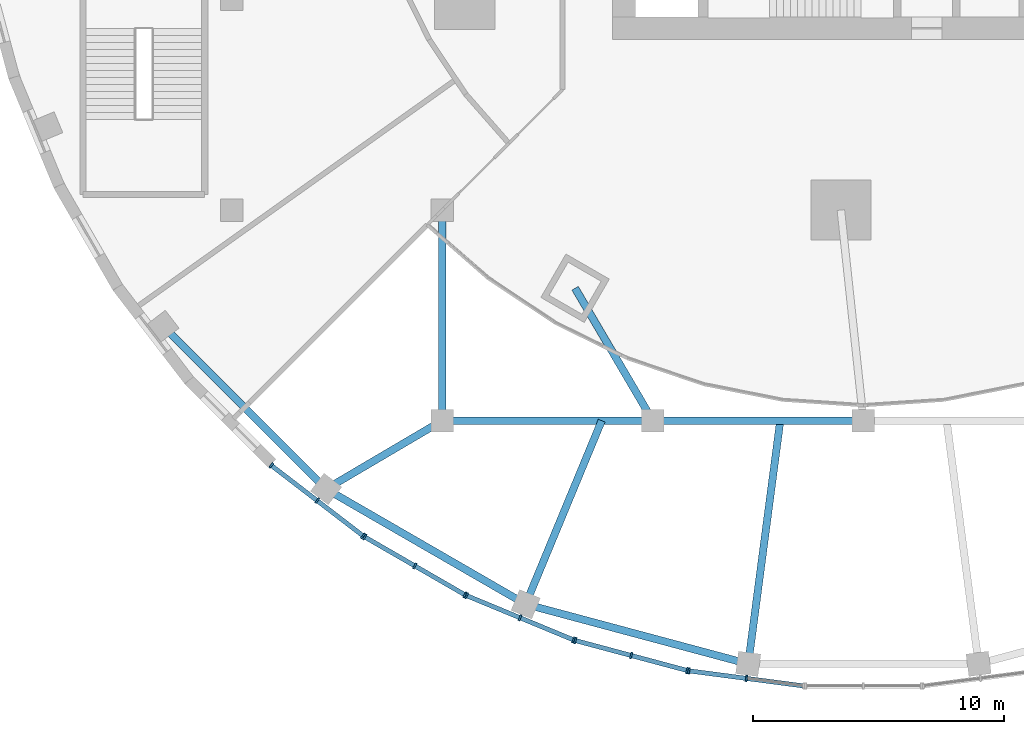
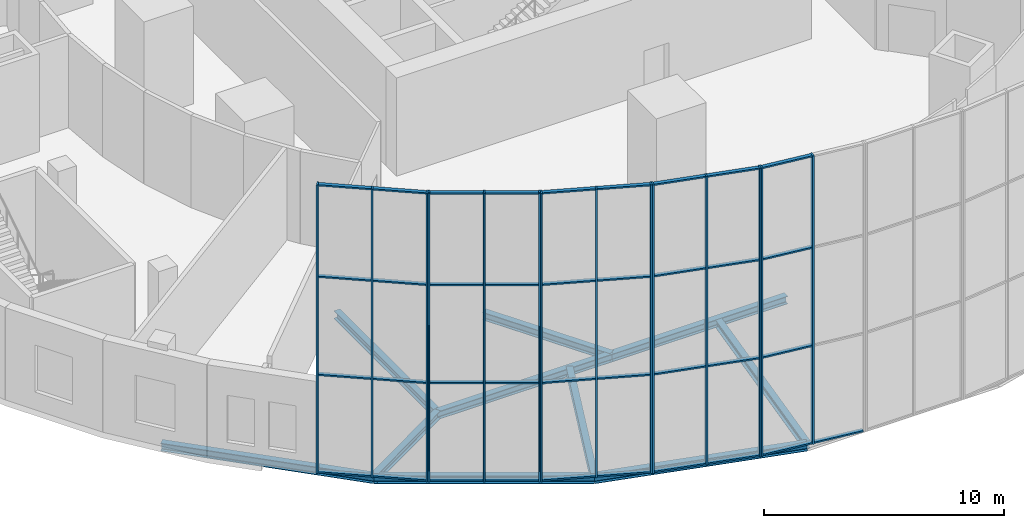
# One storey, part 2 of 17: 51 members, 10 beams, 5 elements without a shape of their own.
"""IFC4 building model written with IfcOpenShell, lengths in metres."""

from ifc_helpers import new_model, si_unit, direction, frame, origin, origin_2d, place, context, subcontext, project, spatial, rectangle, i_section, extrude, material, material_profile, profile_set, type_object, element, aggregate, save


model = new_model("IFC4")

# Units and contexts
model_context = context("Model", 3, precision=1e-05, world=origin(), true_north=direction((0.0, 1.0)))
body_context = subcontext(model_context, "Body", "Model", "MODEL_VIEW")
ifc_project = project(units=[si_unit("LENGTHUNIT", "METRE"), si_unit("AREAUNIT", "SQUARE_METRE"), si_unit("VOLUMEUNIT", "CUBIC_METRE"), si_unit("PLANEANGLEUNIT", "RADIAN"), si_unit("MASSUNIT", "GRAM", prefix="KILO")], contexts=[model_context])

# Site, building, storey
site_placement = place(None, origin())
site = spatial("IfcSite", under=ifc_project, at=site_placement, CompositionType="ELEMENT")
building_placement = place(site_placement, origin())
building = spatial("IfcBuilding", under=site, at=building_placement, Name="Golbaran Civic Tower", CompositionType="ELEMENT")
storey_placement = place(building_placement, frame((0.0, 0.0, 6.0)))
storey = spatial("IfcBuildingStorey", under=building, at=storey_placement, Name="L01", CompositionType="ELEMENT", Elevation=6.0)

# Beams
ifc_material_1 = material(Name="Steel S355", Category="steel")
ifc_material_profile_1 = material_profile(ifc_material_1, i_section(OverallWidth=0.300048828125, OverallDepth=0.39990234375, WebThickness=0.013427734375, FlangeThickness=0.02392578125, FilletRadius=0.027099609375, at=origin_2d()), Name="HEB 400")
ifc_profile_set_1 = profile_set([ifc_material_profile_1], Name="Steel S355")
beam_type = type_object("IfcBeamType", Name="ATRIUM BRACING TIE HEB 400", PredefinedType="BEAM", material=ifc_profile_set_1)
beam_1_placement = place(storey_placement, frame((-16.800048828125, -25.199951171875, -0.5), z_axis=(1.0, 0.0, 0.0), x_axis=(0.0, 1.0, 0.0)))
element("IfcBeam", 1, at=beam_1_placement, inside=storey, type_object=beam_type, Name="Atrium bracing tie L01 ROW 01", PredefinedType="BEAM", context=body_context, shape_type="SweptSolid", body=[
    extrude(i_section(OverallWidth=0.300048828125, OverallDepth=0.39990234375, WebThickness=0.013427734375, FlangeThickness=0.02392578125, FilletRadius=0.027099609375, at=origin_2d()), origin(), (0.0, 0.0, 1.0), 8.400146484375),
])
beam_2_placement = place(storey_placement, frame((-8.39990234375, -25.199951171875, -0.5), z_axis=(1.0, 0.0, 0.0), x_axis=(0.0, 1.0, 0.0)))
element("IfcBeam", 2, at=beam_2_placement, inside=storey, type_object=beam_type, Name="Atrium bracing tie L01 ROW 02", PredefinedType="BEAM", context=body_context, shape_type="SweptSolid", body=[
    extrude(i_section(OverallWidth=0.300048828125, OverallDepth=0.39990234375, WebThickness=0.013427734375, FlangeThickness=0.02392578125, FilletRadius=0.027099609375, at=origin_2d()), origin(), (0.0, 0.0, 1.0), 8.39990234375),
])
for number, where, z_axis, x_axis, name in (
    (3, (-27.926025390625, -21.428466796875, -0.5), (0.707106781187, -0.707106781187, 0.0), (0.707106781187, 0.707106781187, 0.0), "Atrium bracing tie L01 RING 01"),
    (4, (-21.428466796875, -27.926025390625, -0.5), (0.86602896297, -0.49999383526, 0.0), (0.49999383526, 0.86602896297, 0.0), "Atrium bracing tie L01 RING 02"),
):
    element("IfcBeam", number, at=place(storey_placement, frame(where, z_axis=z_axis, x_axis=x_axis)), inside=storey, type_object=beam_type, Name=name, PredefinedType="BEAM", context=body_context, shape_type="SweptSolid", body=[
        extrude(i_section(OverallWidth=0.300048828125, OverallDepth=0.39990234375, WebThickness=0.013427734375, FlangeThickness=0.02392578125, FilletRadius=0.027099609375, at=origin_2d()), origin(), (0.0, 0.0, 1.0), 9.18896484375),
    ])
beam_3_placement = place(storey_placement, frame((-13.470458984375, -32.5205078125, -0.5), z_axis=(0.965922909277, -0.258829931295, 0.0), x_axis=(0.258829931295, 0.965922909277, 0.0)))
element("IfcBeam", 5, at=beam_3_placement, inside=storey, type_object=beam_type, Name="Atrium bracing tie L01 RING 03", PredefinedType="BEAM", context=body_context, shape_type="SweptSolid", body=[
    extrude(i_section(OverallWidth=0.300048828125, OverallDepth=0.39990234375, WebThickness=0.013427734375, FlangeThickness=0.02392578125, FilletRadius=0.027099609375, at=origin_2d()), origin(), (0.0, 0.0, 1.0), 9.189208984375),
])
beam_4_placement = place(storey_placement, frame((-16.800048828125, -25.199951171875, -0.5), z_axis=(0.0, 1.0, 0.0), x_axis=(-1.0, 0.0, 0.0)))
element("IfcBeam", 6, at=beam_4_placement, inside=storey, type_object=beam_type, Name="Atrium bracing tie L01 GR 4C", PredefinedType="BEAM", context=body_context, shape_type="SweptSolid", body=[
    extrude(i_section(OverallWidth=0.300048828125, OverallDepth=0.39990234375, WebThickness=0.013427734375, FlangeThickness=0.02392578125, FilletRadius=0.027099609375, at=origin_2d()), origin(), (0.0, 0.0, 1.0), 8.39990234375),
])
beam_5_placement = place(storey_placement, frame((-8.39990234375, -25.199951171875, -0.5), z_axis=(-0.506228930688, 0.862399135977, 0.0), x_axis=(-0.862399135977, -0.506228930688, 0.0)))
element("IfcBeam", 7, at=beam_5_placement, inside=storey, type_object=beam_type, Name="Atrium bracing tie L01 GR 5C", PredefinedType="BEAM", context=body_context, shape_type="SweptSolid", body=[
    extrude(i_section(OverallWidth=0.300048828125, OverallDepth=0.39990234375, WebThickness=0.013427734375, FlangeThickness=0.02392578125, FilletRadius=0.027099609375, at=origin_2d()), origin(), (0.0, 0.0, 1.0), 6.1240234375),
])
beam_6_placement = place(storey_placement, frame((-21.428466796875, -27.926025390625, -0.5), z_axis=(0.861651329698, 0.507500725151, 0.0), x_axis=(-0.507500725151, 0.861651329698, 0.0)))
element("IfcBeam", 8, at=beam_6_placement, inside=storey, type_object=beam_type, Name="Atrium bracing tie L01 ER 2325", PredefinedType="BEAM", context=body_context, shape_type="SweptSolid", body=[
    extrude(i_section(OverallWidth=0.300048828125, OverallDepth=0.39990234375, WebThickness=0.013427734375, FlangeThickness=0.02392578125, FilletRadius=0.027099609375, at=origin_2d()), origin(), (0.0, 0.0, 1.0), 5.37158203125),
])
beam_7_placement = place(storey_placement, frame((-13.470458984375, -32.5205078125, -0.5), z_axis=(0.382678339047, 0.923881642216, 0.0), x_axis=(-0.923881642216, 0.382678339047, 0.0)))
element("IfcBeam", 9, at=beam_7_placement, inside=storey, type_object=beam_type, Name="Atrium bracing tie L01 ER 2475", PredefinedType="BEAM", context=body_context, shape_type="SweptSolid", body=[
    extrude(i_section(OverallWidth=0.300048828125, OverallDepth=0.39990234375, WebThickness=0.013427734375, FlangeThickness=0.02392578125, FilletRadius=0.027099609375, at=origin_2d()), origin(), (0.0, 0.0, 1.0), 7.923583984375),
])
beam_8_placement = place(storey_placement, frame((-4.594482421875, -34.89892578125, -0.5), z_axis=(0.130522297348, 0.991445374136, 0.0), x_axis=(-0.991445374136, 0.130522297348, 0.0)))
element("IfcBeam", 10, at=beam_8_placement, inside=storey, type_object=beam_type, Name="Atrium bracing tie L01 ER 2625", PredefinedType="BEAM", context=body_context, shape_type="SweptSolid", body=[
    extrude(i_section(OverallWidth=0.300048828125, OverallDepth=0.39990234375, WebThickness=0.013427734375, FlangeThickness=0.02392578125, FilletRadius=0.027099609375, at=origin_2d()), origin(), (0.0, 0.0, 1.0), 9.78271484375),
])

# Curtain wall, members
ifc_material_2 = material(Name="Aluminium and glass", Category="aluminium")
curtain_wall_type = type_object("IfcCurtainWallType", Name="ATRIUM CURTAIN WALL", PredefinedType="NOTDEFINED", material=ifc_material_2)
curtain_wall_1_placement = place(storey_placement, origin())
curtain_wall_1 = element("IfcCurtainWall", 11, at=curtain_wall_1_placement, inside=storey, type_object=curtain_wall_type, Name="Atrium curtain wall facet 31 CW4", ObjectType="ATRIUM GLAZING", PredefinedType="USERDEFINED")
ifc_material_3 = material(Name="Aluminium", Category="aluminium")
ifc_material_profile_2 = material_profile(ifc_material_3, rectangle(XDim=0.25, YDim=0.074951171875, at=origin_2d()), Name="ATRIUM CURTAIN WALL MULLION")
ifc_profile_set_2 = profile_set([ifc_material_profile_2], Name="Aluminium")
member_type_1 = type_object("IfcMemberType", Name="ATRIUM CURTAIN WALL MULLION", PredefinedType="MULLION", material=ifc_profile_set_2)
member_1_placement = place(storey_placement, frame((-23.615478515625, -26.985107421875, 0.0), z_axis=(0.0, 0.0, 1.0), x_axis=(0.608761428926, 0.793353340355, 0.0)))
member_1 = element("IfcMember", 12, at=member_1_placement, type_object=member_type_1, Name="CW4 mullion 1", PredefinedType="MULLION", context=body_context, shape_type="SweptSolid", body=[
    extrude(rectangle(XDim=0.25, YDim=0.074951171875, at=origin_2d()), origin(), (0.0, 0.0, 1.0), 14.699951171875),
])
member_2_placement = place(storey_placement, frame((-21.784423828125, -28.39013671875, 0.0), z_axis=(0.0, 0.0, 1.0), x_axis=(0.608761428926, 0.793353340355, 0.0)))
member_2 = element("IfcMember", 13, at=member_2_placement, type_object=member_type_1, Name="CW4 mullion 2", PredefinedType="MULLION", context=body_context, shape_type="SweptSolid", body=[
    extrude(rectangle(XDim=0.25, YDim=0.074951171875, at=origin_2d()), origin(), (0.0, 0.0, 1.0), 14.699951171875),
])
member_3_placement = place(storey_placement, frame((-19.953369140625, -29.795166015625, 0.0), z_axis=(0.0, 0.0, 1.0), x_axis=(0.608761428926, 0.793353340355, 0.0)))
member_3 = element("IfcMember", 14, at=member_3_placement, type_object=member_type_1, Name="CW4 mullion 3", PredefinedType="MULLION", context=body_context, shape_type="SweptSolid", body=[
    extrude(rectangle(XDim=0.25, YDim=0.074951171875, at=origin_2d()), origin(), (0.0, 0.0, 1.0), 14.699951171875),
])

curtain_wall_2_placement = place(storey_placement, origin())
curtain_wall_2 = element("IfcCurtainWall", 15, at=curtain_wall_2_placement, inside=storey, type_object=curtain_wall_type, Name="Atrium curtain wall facet 32 CW4", ObjectType="ATRIUM GLAZING", PredefinedType="USERDEFINED")
member_4_placement = place(storey_placement, frame((-19.891357421875, -29.836669921875, 0.0), z_axis=(0.0, 0.0, 1.0), x_axis=(0.500000000076, 0.866025403741, 0.0)))
member_4 = element("IfcMember", 16, at=member_4_placement, type_object=member_type_1, Name="CW4 mullion 1", PredefinedType="MULLION", context=body_context, shape_type="SweptSolid", body=[
    extrude(rectangle(XDim=0.25, YDim=0.074951171875, at=origin_2d()), origin(), (0.0, 0.0, 1.0), 14.699951171875),
])
member_5_placement = place(storey_placement, frame((-17.892578125, -30.99072265625, 0.0), z_axis=(0.0, 0.0, 1.0), x_axis=(0.500000000076, 0.866025403741, 0.0)))
member_5 = element("IfcMember", 17, at=member_5_placement, type_object=member_type_1, Name="CW4 mullion 2", PredefinedType="MULLION", context=body_context, shape_type="SweptSolid", body=[
    extrude(rectangle(XDim=0.25, YDim=0.074951171875, at=origin_2d()), origin(), (0.0, 0.0, 1.0), 14.699951171875),
])
member_6_placement = place(storey_placement, frame((-15.893798828125, -32.144775390625, 0.0), z_axis=(0.0, 0.0, 1.0), x_axis=(0.500000000076, 0.866025403741, 0.0)))
member_6 = element("IfcMember", 18, at=member_6_placement, type_object=member_type_1, Name="CW4 mullion 3", PredefinedType="MULLION", context=body_context, shape_type="SweptSolid", body=[
    extrude(rectangle(XDim=0.25, YDim=0.074951171875, at=origin_2d()), origin(), (0.0, 0.0, 1.0), 14.699951171875),
])

curtain_wall_3_placement = place(storey_placement, origin())
curtain_wall_3 = element("IfcCurtainWall", 19, at=curtain_wall_3_placement, inside=storey, type_object=curtain_wall_type, Name="Atrium curtain wall facet 33 CW4", ObjectType="ATRIUM GLAZING", PredefinedType="USERDEFINED")
member_7_placement = place(storey_placement, frame((-15.82666015625, -32.177734375, 0.0), z_axis=(0.0, 0.0, 1.0), x_axis=(0.382683432349, 0.923879532518, 0.0)))
member_7 = element("IfcMember", 20, at=member_7_placement, type_object=member_type_1, Name="CW4 mullion 1", PredefinedType="MULLION", context=body_context, shape_type="SweptSolid", body=[
    extrude(rectangle(XDim=0.25, YDim=0.074951171875, at=origin_2d()), origin(), (0.0, 0.0, 1.0), 14.699951171875),
])
member_8_placement = place(storey_placement, frame((-13.6943359375, -33.06103515625, 0.0), z_axis=(0.0, 0.0, 1.0), x_axis=(0.382683432349, 0.923879532518, 0.0)))
member_8 = element("IfcMember", 21, at=member_8_placement, type_object=member_type_1, Name="CW4 mullion 2", PredefinedType="MULLION", context=body_context, shape_type="SweptSolid", body=[
    extrude(rectangle(XDim=0.25, YDim=0.074951171875, at=origin_2d()), origin(), (0.0, 0.0, 1.0), 14.699951171875),
])
member_9_placement = place(storey_placement, frame((-11.56201171875, -33.9443359375, 0.0), z_axis=(0.0, 0.0, 1.0), x_axis=(0.382683432349, 0.923879532518, 0.0)))
member_9 = element("IfcMember", 22, at=member_9_placement, type_object=member_type_1, Name="CW4 mullion 3", PredefinedType="MULLION", context=body_context, shape_type="SweptSolid", body=[
    extrude(rectangle(XDim=0.25, YDim=0.074951171875, at=origin_2d()), origin(), (0.0, 0.0, 1.0), 14.699951171875),
])

curtain_wall_4_placement = place(storey_placement, origin())
curtain_wall_4 = element("IfcCurtainWall", 23, at=curtain_wall_4_placement, inside=storey, type_object=curtain_wall_type, Name="Atrium curtain wall facet 34 CW4", ObjectType="ATRIUM GLAZING", PredefinedType="USERDEFINED")
member_10_placement = place(storey_placement, frame((-11.4912109375, -33.96826171875, 0.0), z_axis=(0.0, 0.0, 1.0), x_axis=(0.258819045153, 0.965925826276, 0.0)))
member_10 = element("IfcMember", 24, at=member_10_placement, type_object=member_type_1, Name="CW4 mullion 1", PredefinedType="MULLION", context=body_context, shape_type="SweptSolid", body=[
    extrude(rectangle(XDim=0.25, YDim=0.074951171875, at=origin_2d()), origin(), (0.0, 0.0, 1.0), 14.699951171875),
])
member_11_placement = place(storey_placement, frame((-9.26171875, -34.565673828125, 0.0), z_axis=(0.0, 0.0, 1.0), x_axis=(0.258819045153, 0.965925826276, 0.0)))
member_11 = element("IfcMember", 25, at=member_11_placement, type_object=member_type_1, Name="CW4 mullion 2", PredefinedType="MULLION", context=body_context, shape_type="SweptSolid", body=[
    extrude(rectangle(XDim=0.25, YDim=0.074951171875, at=origin_2d()), origin(), (0.0, 0.0, 1.0), 14.699951171875),
])
member_12_placement = place(storey_placement, frame((-7.032470703125, -35.1630859375, 0.0), z_axis=(0.0, 0.0, 1.0), x_axis=(0.258819045153, 0.965925826276, 0.0)))
member_12 = element("IfcMember", 26, at=member_12_placement, type_object=member_type_1, Name="CW4 mullion 3", PredefinedType="MULLION", context=body_context, shape_type="SweptSolid", body=[
    extrude(rectangle(XDim=0.25, YDim=0.074951171875, at=origin_2d()), origin(), (0.0, 0.0, 1.0), 14.699951171875),
])

curtain_wall_5_placement = place(storey_placement, origin())
curtain_wall_5 = element("IfcCurtainWall", 27, at=curtain_wall_5_placement, inside=storey, type_object=curtain_wall_type, Name="Atrium curtain wall facet 35 CW4", ObjectType="ATRIUM GLAZING", PredefinedType="USERDEFINED")
member_13_placement = place(storey_placement, frame((-6.959228515625, -35.177490234375, 0.0), z_axis=(0.0, 0.0, 1.0), x_axis=(0.130526192134, 0.991444861385, 0.0)))
member_13 = element("IfcMember", 28, at=member_13_placement, type_object=member_type_1, Name="CW4 mullion 1", PredefinedType="MULLION", context=body_context, shape_type="SweptSolid", body=[
    extrude(rectangle(XDim=0.25, YDim=0.074951171875, at=origin_2d()), origin(), (0.0, 0.0, 1.0), 14.699951171875),
])
member_14_placement = place(storey_placement, frame((-4.6708984375, -35.478759765625, 0.0), z_axis=(0.0, 0.0, 1.0), x_axis=(0.130526192134, 0.991444861385, 0.0)))
member_14 = element("IfcMember", 29, at=member_14_placement, type_object=member_type_1, Name="CW4 mullion 2", PredefinedType="MULLION", context=body_context, shape_type="SweptSolid", body=[
    extrude(rectangle(XDim=0.25, YDim=0.074951171875, at=origin_2d()), origin(), (0.0, 0.0, 1.0), 14.699951171875),
])

# Member
ifc_material_profile_3 = material_profile(ifc_material_3, rectangle(XDim=0.179931640625, YDim=0.074951171875, at=origin_2d()), Name="ATRIUM CURTAIN WALL TRANSOM")
ifc_profile_set_3 = profile_set([ifc_material_profile_3], Name="Aluminium")
member_type_2 = type_object("IfcMemberType", Name="ATRIUM CURTAIN WALL TRANSOM", PredefinedType="USERDEFINED", material=ifc_profile_set_3)
member_15_placement = place(storey_placement, frame((-23.585693359375, -27.008056640625, 0.03759765625), z_axis=(0.793338798871, -0.608780379288, 0.0), x_axis=(0.608780379288, 0.793338798871, 0.0)))
member_15 = element("IfcMember", 30, at=member_15_placement, type_object=member_type_2, Name="CW4 transom 1.1", ObjectType="TRANSOM", PredefinedType="USERDEFINED", context=body_context, shape_type="SweptSolid", body=[
    extrude(rectangle(XDim=0.179931640625, YDim=0.074951171875, at=origin_2d()), origin(), (0.0, 0.0, 1.0), 2.23291015625),
])

member_16_placement = place(storey_placement, frame((-23.585693359375, -27.008056640625, 5.0), z_axis=(0.793338798871, -0.608780379288, 0.0), x_axis=(0.608780379288, 0.793338798871, 0.0)))
member_16 = element("IfcMember", 31, at=member_16_placement, type_object=member_type_2, Name="CW4 transom 1.2", ObjectType="TRANSOM", PredefinedType="USERDEFINED", context=body_context, shape_type="SweptSolid", body=[
    extrude(rectangle(XDim=0.179931640625, YDim=0.074951171875, at=origin_2d()), origin(), (0.0, 0.0, 1.0), 2.23291015625),
])

member_17_placement = place(storey_placement, frame((-23.585693359375, -27.008056640625, 10.0), z_axis=(0.793338798871, -0.608780379288, 0.0), x_axis=(0.608780379288, 0.793338798871, 0.0)))
member_17 = element("IfcMember", 32, at=member_17_placement, type_object=member_type_2, Name="CW4 transom 1.3", ObjectType="TRANSOM", PredefinedType="USERDEFINED", context=body_context, shape_type="SweptSolid", body=[
    extrude(rectangle(XDim=0.179931640625, YDim=0.074951171875, at=origin_2d()), origin(), (0.0, 0.0, 1.0), 2.23291015625),
])

member_18_placement = place(storey_placement, frame((-23.585693359375, -27.008056640625, 14.66259765625), z_axis=(0.793338798871, -0.608780379288, 0.0), x_axis=(0.608780379288, 0.793338798871, 0.0)))
member_18 = element("IfcMember", 33, at=member_18_placement, type_object=member_type_2, Name="CW4 transom 1.4", ObjectType="TRANSOM", PredefinedType="USERDEFINED", context=body_context, shape_type="SweptSolid", body=[
    extrude(rectangle(XDim=0.179931640625, YDim=0.074951171875, at=origin_2d()), origin(), (0.0, 0.0, 1.0), 2.23291015625),
])

member_19_placement = place(storey_placement, frame((-21.7548828125, -28.4130859375, 0.03759765625), z_axis=(0.793432114598, -0.608658754578, 0.0), x_axis=(0.608658754578, 0.793432114598, 0.0)))
member_19 = element("IfcMember", 34, at=member_19_placement, type_object=member_type_2, Name="CW4 transom 2.1", ObjectType="TRANSOM", PredefinedType="USERDEFINED", context=body_context, shape_type="SweptSolid", body=[
    extrude(rectangle(XDim=0.179931640625, YDim=0.074951171875, at=origin_2d()), origin(), (0.0, 0.0, 1.0), 2.23291015625),
])

member_20_placement = place(storey_placement, frame((-21.7548828125, -28.4130859375, 5.0), z_axis=(0.793432114598, -0.608658754578, 0.0), x_axis=(0.608658754578, 0.793432114598, 0.0)))
member_20 = element("IfcMember", 35, at=member_20_placement, type_object=member_type_2, Name="CW4 transom 2.2", ObjectType="TRANSOM", PredefinedType="USERDEFINED", context=body_context, shape_type="SweptSolid", body=[
    extrude(rectangle(XDim=0.179931640625, YDim=0.074951171875, at=origin_2d()), origin(), (0.0, 0.0, 1.0), 2.23291015625),
])

member_21_placement = place(storey_placement, frame((-21.7548828125, -28.4130859375, 10.0), z_axis=(0.793432114598, -0.608658754578, 0.0), x_axis=(0.608658754578, 0.793432114598, 0.0)))
member_21 = element("IfcMember", 36, at=member_21_placement, type_object=member_type_2, Name="CW4 transom 2.3", ObjectType="TRANSOM", PredefinedType="USERDEFINED", context=body_context, shape_type="SweptSolid", body=[
    extrude(rectangle(XDim=0.179931640625, YDim=0.074951171875, at=origin_2d()), origin(), (0.0, 0.0, 1.0), 2.23291015625),
])

member_22_placement = place(storey_placement, frame((-21.7548828125, -28.4130859375, 14.66259765625), z_axis=(0.793432114598, -0.608658754578, 0.0), x_axis=(0.608658754578, 0.793432114598, 0.0)))
member_22 = element("IfcMember", 37, at=member_22_placement, type_object=member_type_2, Name="CW4 transom 2.4", ObjectType="TRANSOM", PredefinedType="USERDEFINED", context=body_context, shape_type="SweptSolid", body=[
    extrude(rectangle(XDim=0.179931640625, YDim=0.074951171875, at=origin_2d()), origin(), (0.0, 0.0, 1.0), 2.23291015625),
])

aggregate(curtain_wall_1, [member_1, member_2, member_3, member_15, member_16, member_17, member_18, member_19, member_20, member_21, member_22])

member_23_placement = place(storey_placement, frame((-19.85888671875, -29.85546875, 0.03759765625), z_axis=(0.866034468987, -0.49998429828, 0.0), x_axis=(0.49998429828, 0.866034468987, 0.0)))
member_23 = element("IfcMember", 38, at=member_23_placement, type_object=member_type_2, Name="CW4 transom 1.1", ObjectType="TRANSOM", PredefinedType="USERDEFINED", context=body_context, shape_type="SweptSolid", body=[
    extrude(rectangle(XDim=0.179931640625, YDim=0.074951171875, at=origin_2d()), origin(), (0.0, 0.0, 1.0), 2.23291015625),
])

member_24_placement = place(storey_placement, frame((-19.85888671875, -29.85546875, 5.0), z_axis=(0.866034468987, -0.49998429828, 0.0), x_axis=(0.49998429828, 0.866034468987, 0.0)))
member_24 = element("IfcMember", 39, at=member_24_placement, type_object=member_type_2, Name="CW4 transom 1.2", ObjectType="TRANSOM", PredefinedType="USERDEFINED", context=body_context, shape_type="SweptSolid", body=[
    extrude(rectangle(XDim=0.179931640625, YDim=0.074951171875, at=origin_2d()), origin(), (0.0, 0.0, 1.0), 2.23291015625),
])

member_25_placement = place(storey_placement, frame((-19.85888671875, -29.85546875, 10.0), z_axis=(0.866034468987, -0.49998429828, 0.0), x_axis=(0.49998429828, 0.866034468987, 0.0)))
member_25 = element("IfcMember", 40, at=member_25_placement, type_object=member_type_2, Name="CW4 transom 1.3", ObjectType="TRANSOM", PredefinedType="USERDEFINED", context=body_context, shape_type="SweptSolid", body=[
    extrude(rectangle(XDim=0.179931640625, YDim=0.074951171875, at=origin_2d()), origin(), (0.0, 0.0, 1.0), 2.23291015625),
])

member_26_placement = place(storey_placement, frame((-19.85888671875, -29.85546875, 14.66259765625), z_axis=(0.866034468987, -0.49998429828, 0.0), x_axis=(0.49998429828, 0.866034468987, 0.0)))
member_26 = element("IfcMember", 41, at=member_26_placement, type_object=member_type_2, Name="CW4 transom 1.4", ObjectType="TRANSOM", PredefinedType="USERDEFINED", context=body_context, shape_type="SweptSolid", body=[
    extrude(rectangle(XDim=0.179931640625, YDim=0.074951171875, at=origin_2d()), origin(), (0.0, 0.0, 1.0), 2.23291015625),
])

member_27_placement = place(storey_placement, frame((-17.860107421875, -31.009521484375, 0.03759765625), z_axis=(0.866034468987, -0.49998429828, 0.0), x_axis=(0.49998429828, 0.866034468987, 0.0)))
member_27 = element("IfcMember", 42, at=member_27_placement, type_object=member_type_2, Name="CW4 transom 2.1", ObjectType="TRANSOM", PredefinedType="USERDEFINED", context=body_context, shape_type="SweptSolid", body=[
    extrude(rectangle(XDim=0.179931640625, YDim=0.074951171875, at=origin_2d()), origin(), (0.0, 0.0, 1.0), 2.23291015625),
])

member_28_placement = place(storey_placement, frame((-17.860107421875, -31.009521484375, 5.0), z_axis=(0.866034468987, -0.49998429828, 0.0), x_axis=(0.49998429828, 0.866034468987, 0.0)))
member_28 = element("IfcMember", 43, at=member_28_placement, type_object=member_type_2, Name="CW4 transom 2.2", ObjectType="TRANSOM", PredefinedType="USERDEFINED", context=body_context, shape_type="SweptSolid", body=[
    extrude(rectangle(XDim=0.179931640625, YDim=0.074951171875, at=origin_2d()), origin(), (0.0, 0.0, 1.0), 2.23291015625),
])

member_29_placement = place(storey_placement, frame((-17.860107421875, -31.009521484375, 10.0), z_axis=(0.866034468987, -0.49998429828, 0.0), x_axis=(0.49998429828, 0.866034468987, 0.0)))
member_29 = element("IfcMember", 44, at=member_29_placement, type_object=member_type_2, Name="CW4 transom 2.3", ObjectType="TRANSOM", PredefinedType="USERDEFINED", context=body_context, shape_type="SweptSolid", body=[
    extrude(rectangle(XDim=0.179931640625, YDim=0.074951171875, at=origin_2d()), origin(), (0.0, 0.0, 1.0), 2.23291015625),
])

member_30_placement = place(storey_placement, frame((-17.860107421875, -31.009521484375, 14.66259765625), z_axis=(0.866034468987, -0.49998429828, 0.0), x_axis=(0.49998429828, 0.866034468987, 0.0)))
member_30 = element("IfcMember", 45, at=member_30_placement, type_object=member_type_2, Name="CW4 transom 2.4", ObjectType="TRANSOM", PredefinedType="USERDEFINED", context=body_context, shape_type="SweptSolid", body=[
    extrude(rectangle(XDim=0.179931640625, YDim=0.074951171875, at=origin_2d()), origin(), (0.0, 0.0, 1.0), 2.23291015625),
])

aggregate(curtain_wall_2, [member_4, member_5, member_6, member_23, member_24, member_25, member_26, member_27, member_28, member_29, member_30])

member_31_placement = place(storey_placement, frame((-15.7919921875, -32.192138671875, 0.03759765625), z_axis=(0.923883575944, -0.382673670509, 0.0), x_axis=(0.382673670509, 0.923883575944, 0.0)))
member_31 = element("IfcMember", 46, at=member_31_placement, type_object=member_type_2, Name="CW4 transom 1.1", ObjectType="TRANSOM", PredefinedType="USERDEFINED", context=body_context, shape_type="SweptSolid", body=[
    extrude(rectangle(XDim=0.179931640625, YDim=0.074951171875, at=origin_2d()), origin(), (0.0, 0.0, 1.0), 2.23291015625),
])

member_32_placement = place(storey_placement, frame((-15.7919921875, -32.192138671875, 5.0), z_axis=(0.923883575944, -0.382673670509, 0.0), x_axis=(0.382673670509, 0.923883575944, 0.0)))
member_32 = element("IfcMember", 47, at=member_32_placement, type_object=member_type_2, Name="CW4 transom 1.2", ObjectType="TRANSOM", PredefinedType="USERDEFINED", context=body_context, shape_type="SweptSolid", body=[
    extrude(rectangle(XDim=0.179931640625, YDim=0.074951171875, at=origin_2d()), origin(), (0.0, 0.0, 1.0), 2.23291015625),
])

member_33_placement = place(storey_placement, frame((-15.7919921875, -32.192138671875, 10.0), z_axis=(0.923883575944, -0.382673670509, 0.0), x_axis=(0.382673670509, 0.923883575944, 0.0)))
member_33 = element("IfcMember", 48, at=member_33_placement, type_object=member_type_2, Name="CW4 transom 1.3", ObjectType="TRANSOM", PredefinedType="USERDEFINED", context=body_context, shape_type="SweptSolid", body=[
    extrude(rectangle(XDim=0.179931640625, YDim=0.074951171875, at=origin_2d()), origin(), (0.0, 0.0, 1.0), 2.23291015625),
])

member_34_placement = place(storey_placement, frame((-15.7919921875, -32.192138671875, 14.66259765625), z_axis=(0.923883575944, -0.382673670509, 0.0), x_axis=(0.382673670509, 0.923883575944, 0.0)))
member_34 = element("IfcMember", 49, at=member_34_placement, type_object=member_type_2, Name="CW4 transom 1.4", ObjectType="TRANSOM", PredefinedType="USERDEFINED", context=body_context, shape_type="SweptSolid", body=[
    extrude(rectangle(XDim=0.179931640625, YDim=0.074951171875, at=origin_2d()), origin(), (0.0, 0.0, 1.0), 2.23291015625),
])

member_35_placement = place(storey_placement, frame((-13.65966796875, -33.075439453125, 0.03759765625), z_axis=(0.923883575944, -0.382673670509, 0.0), x_axis=(0.382673670509, 0.923883575944, 0.0)))
member_35 = element("IfcMember", 50, at=member_35_placement, type_object=member_type_2, Name="CW4 transom 2.1", ObjectType="TRANSOM", PredefinedType="USERDEFINED", context=body_context, shape_type="SweptSolid", body=[
    extrude(rectangle(XDim=0.179931640625, YDim=0.074951171875, at=origin_2d()), origin(), (0.0, 0.0, 1.0), 2.23291015625),
])

member_36_placement = place(storey_placement, frame((-13.65966796875, -33.075439453125, 5.0), z_axis=(0.923883575944, -0.382673670509, 0.0), x_axis=(0.382673670509, 0.923883575944, 0.0)))
member_36 = element("IfcMember", 51, at=member_36_placement, type_object=member_type_2, Name="CW4 transom 2.2", ObjectType="TRANSOM", PredefinedType="USERDEFINED", context=body_context, shape_type="SweptSolid", body=[
    extrude(rectangle(XDim=0.179931640625, YDim=0.074951171875, at=origin_2d()), origin(), (0.0, 0.0, 1.0), 2.23291015625),
])

member_37_placement = place(storey_placement, frame((-13.65966796875, -33.075439453125, 10.0), z_axis=(0.923883575944, -0.382673670509, 0.0), x_axis=(0.382673670509, 0.923883575944, 0.0)))
member_37 = element("IfcMember", 52, at=member_37_placement, type_object=member_type_2, Name="CW4 transom 2.3", ObjectType="TRANSOM", PredefinedType="USERDEFINED", context=body_context, shape_type="SweptSolid", body=[
    extrude(rectangle(XDim=0.179931640625, YDim=0.074951171875, at=origin_2d()), origin(), (0.0, 0.0, 1.0), 2.23291015625),
])

member_38_placement = place(storey_placement, frame((-13.65966796875, -33.075439453125, 14.66259765625), z_axis=(0.923883575944, -0.382673670509, 0.0), x_axis=(0.382673670509, 0.923883575944, 0.0)))
member_38 = element("IfcMember", 53, at=member_38_placement, type_object=member_type_2, Name="CW4 transom 2.4", ObjectType="TRANSOM", PredefinedType="USERDEFINED", context=body_context, shape_type="SweptSolid", body=[
    extrude(rectangle(XDim=0.179931640625, YDim=0.074951171875, at=origin_2d()), origin(), (0.0, 0.0, 1.0), 2.23291015625),
])

aggregate(curtain_wall_3, [member_7, member_8, member_9, member_31, member_32, member_33, member_34, member_35, member_36, member_37, member_38])

member_39_placement = place(storey_placement, frame((-11.454833984375, -33.97802734375, 0.03759765625), z_axis=(0.965927552941, -0.258812601065, 0.0), x_axis=(0.258812601065, 0.965927552941, 0.0)))
member_39 = element("IfcMember", 54, at=member_39_placement, type_object=member_type_2, Name="CW4 transom 1.1", ObjectType="TRANSOM", PredefinedType="USERDEFINED", context=body_context, shape_type="SweptSolid", body=[
    extrude(rectangle(XDim=0.179931640625, YDim=0.074951171875, at=origin_2d()), origin(), (0.0, 0.0, 1.0), 2.23291015625),
])

member_40_placement = place(storey_placement, frame((-11.454833984375, -33.97802734375, 5.0), z_axis=(0.965927552941, -0.258812601065, 0.0), x_axis=(0.258812601065, 0.965927552941, 0.0)))
member_40 = element("IfcMember", 55, at=member_40_placement, type_object=member_type_2, Name="CW4 transom 1.2", ObjectType="TRANSOM", PredefinedType="USERDEFINED", context=body_context, shape_type="SweptSolid", body=[
    extrude(rectangle(XDim=0.179931640625, YDim=0.074951171875, at=origin_2d()), origin(), (0.0, 0.0, 1.0), 2.23291015625),
])

member_41_placement = place(storey_placement, frame((-11.454833984375, -33.97802734375, 10.0), z_axis=(0.965927552941, -0.258812601065, 0.0), x_axis=(0.258812601065, 0.965927552941, 0.0)))
member_41 = element("IfcMember", 56, at=member_41_placement, type_object=member_type_2, Name="CW4 transom 1.3", ObjectType="TRANSOM", PredefinedType="USERDEFINED", context=body_context, shape_type="SweptSolid", body=[
    extrude(rectangle(XDim=0.179931640625, YDim=0.074951171875, at=origin_2d()), origin(), (0.0, 0.0, 1.0), 2.23291015625),
])

member_42_placement = place(storey_placement, frame((-11.454833984375, -33.97802734375, 14.66259765625), z_axis=(0.965927552941, -0.258812601065, 0.0), x_axis=(0.258812601065, 0.965927552941, 0.0)))
member_42 = element("IfcMember", 57, at=member_42_placement, type_object=member_type_2, Name="CW4 transom 1.4", ObjectType="TRANSOM", PredefinedType="USERDEFINED", context=body_context, shape_type="SweptSolid", body=[
    extrude(rectangle(XDim=0.179931640625, YDim=0.074951171875, at=origin_2d()), origin(), (0.0, 0.0, 1.0), 2.23291015625),
])

member_43_placement = place(storey_placement, frame((-9.2255859375, -34.575439453125, 0.03759765625), z_axis=(0.965927552941, -0.258812601065, 0.0), x_axis=(0.258812601065, 0.965927552941, 0.0)))
member_43 = element("IfcMember", 58, at=member_43_placement, type_object=member_type_2, Name="CW4 transom 2.1", ObjectType="TRANSOM", PredefinedType="USERDEFINED", context=body_context, shape_type="SweptSolid", body=[
    extrude(rectangle(XDim=0.179931640625, YDim=0.074951171875, at=origin_2d()), origin(), (0.0, 0.0, 1.0), 2.23291015625),
])

member_44_placement = place(storey_placement, frame((-9.2255859375, -34.575439453125, 5.0), z_axis=(0.965927552941, -0.258812601065, 0.0), x_axis=(0.258812601065, 0.965927552941, 0.0)))
member_44 = element("IfcMember", 59, at=member_44_placement, type_object=member_type_2, Name="CW4 transom 2.2", ObjectType="TRANSOM", PredefinedType="USERDEFINED", context=body_context, shape_type="SweptSolid", body=[
    extrude(rectangle(XDim=0.179931640625, YDim=0.074951171875, at=origin_2d()), origin(), (0.0, 0.0, 1.0), 2.23291015625),
])

member_45_placement = place(storey_placement, frame((-9.2255859375, -34.575439453125, 10.0), z_axis=(0.965927552941, -0.258812601065, 0.0), x_axis=(0.258812601065, 0.965927552941, 0.0)))
member_45 = element("IfcMember", 60, at=member_45_placement, type_object=member_type_2, Name="CW4 transom 2.3", ObjectType="TRANSOM", PredefinedType="USERDEFINED", context=body_context, shape_type="SweptSolid", body=[
    extrude(rectangle(XDim=0.179931640625, YDim=0.074951171875, at=origin_2d()), origin(), (0.0, 0.0, 1.0), 2.23291015625),
])

member_46_placement = place(storey_placement, frame((-9.2255859375, -34.575439453125, 14.66259765625), z_axis=(0.965927552941, -0.258812601065, 0.0), x_axis=(0.258812601065, 0.965927552941, 0.0)))
member_46 = element("IfcMember", 61, at=member_46_placement, type_object=member_type_2, Name="CW4 transom 2.4", ObjectType="TRANSOM", PredefinedType="USERDEFINED", context=body_context, shape_type="SweptSolid", body=[
    extrude(rectangle(XDim=0.179931640625, YDim=0.074951171875, at=origin_2d()), origin(), (0.0, 0.0, 1.0), 2.23291015625),
])

aggregate(curtain_wall_4, [member_10, member_11, member_12, member_39, member_40, member_41, member_42, member_43, member_44, member_45, member_46])

member_47_placement = place(storey_placement, frame((-6.921875, -35.1826171875, 0.03759765625), z_axis=(0.991456528258, -0.130437542811, 0.0), x_axis=(0.130437542811, 0.991456528258, 0.0)))
member_47 = element("IfcMember", 62, at=member_47_placement, type_object=member_type_2, Name="CW4 transom 1.1", ObjectType="TRANSOM", PredefinedType="USERDEFINED", context=body_context, shape_type="SweptSolid", body=[
    extrude(rectangle(XDim=0.179931640625, YDim=0.074951171875, at=origin_2d()), origin(), (0.0, 0.0, 1.0), 2.23291015625),
])

member_48_placement = place(storey_placement, frame((-6.921875, -35.1826171875, 5.0), z_axis=(0.991456528258, -0.130437542811, 0.0), x_axis=(0.130437542811, 0.991456528258, 0.0)))
member_48 = element("IfcMember", 63, at=member_48_placement, type_object=member_type_2, Name="CW4 transom 1.2", ObjectType="TRANSOM", PredefinedType="USERDEFINED", context=body_context, shape_type="SweptSolid", body=[
    extrude(rectangle(XDim=0.179931640625, YDim=0.074951171875, at=origin_2d()), origin(), (0.0, 0.0, 1.0), 2.23291015625),
])

member_49_placement = place(storey_placement, frame((-6.921875, -35.1826171875, 10.0), z_axis=(0.991456528258, -0.130437542811, 0.0), x_axis=(0.130437542811, 0.991456528258, 0.0)))
member_49 = element("IfcMember", 64, at=member_49_placement, type_object=member_type_2, Name="CW4 transom 1.3", ObjectType="TRANSOM", PredefinedType="USERDEFINED", context=body_context, shape_type="SweptSolid", body=[
    extrude(rectangle(XDim=0.179931640625, YDim=0.074951171875, at=origin_2d()), origin(), (0.0, 0.0, 1.0), 2.23291015625),
])

member_50_placement = place(storey_placement, frame((-6.921875, -35.1826171875, 14.66259765625), z_axis=(0.991456528258, -0.130437542811, 0.0), x_axis=(0.130437542811, 0.991456528258, 0.0)))
member_50 = element("IfcMember", 65, at=member_50_placement, type_object=member_type_2, Name="CW4 transom 1.4", ObjectType="TRANSOM", PredefinedType="USERDEFINED", context=body_context, shape_type="SweptSolid", body=[
    extrude(rectangle(XDim=0.179931640625, YDim=0.074951171875, at=origin_2d()), origin(), (0.0, 0.0, 1.0), 2.23291015625),
])

member_51_placement = place(storey_placement, frame((-4.6337890625, -35.483642578125, 0.03759765625), z_axis=(0.991442382991, -0.130545016022, 0.0), x_axis=(0.130545016022, 0.991442382991, 0.0)))
member_51 = element("IfcMember", 66, at=member_51_placement, type_object=member_type_2, Name="CW4 transom 2.1", ObjectType="TRANSOM", PredefinedType="USERDEFINED", context=body_context, shape_type="SweptSolid", body=[
    extrude(rectangle(XDim=0.179931640625, YDim=0.074951171875, at=origin_2d()), origin(), (0.0, 0.0, 1.0), 2.23291015625),
])

aggregate(curtain_wall_5, [member_13, member_14, member_47, member_48, member_49, member_50, member_51])

save(model, "model.ifc")
